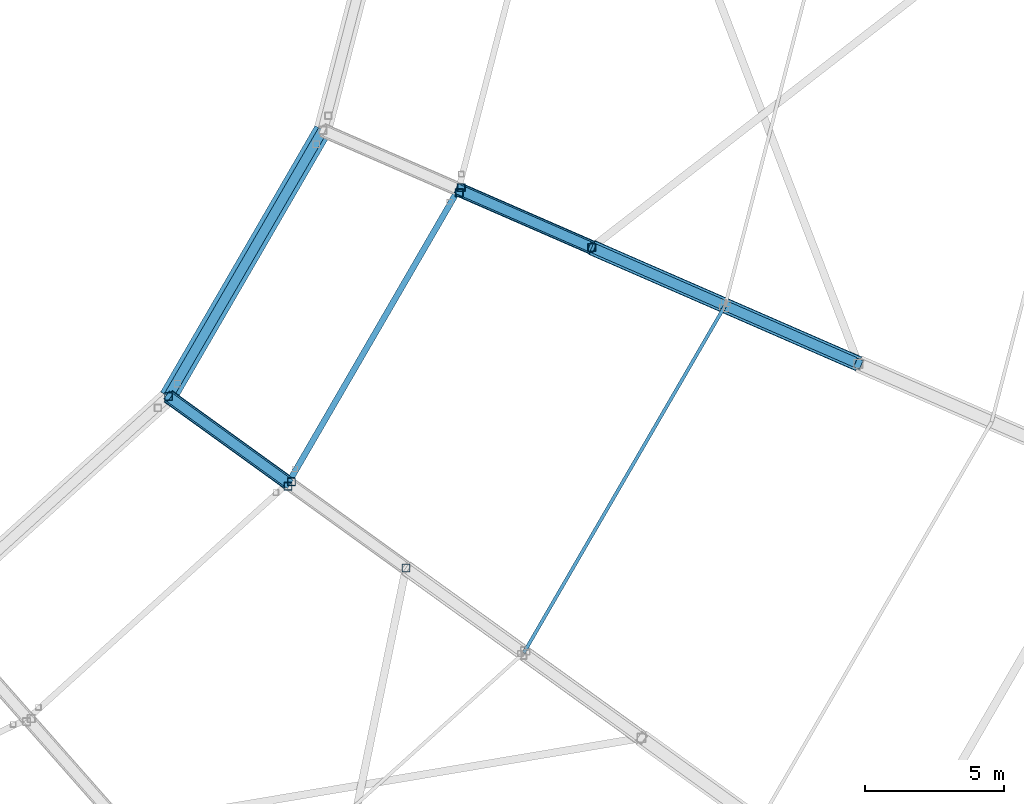
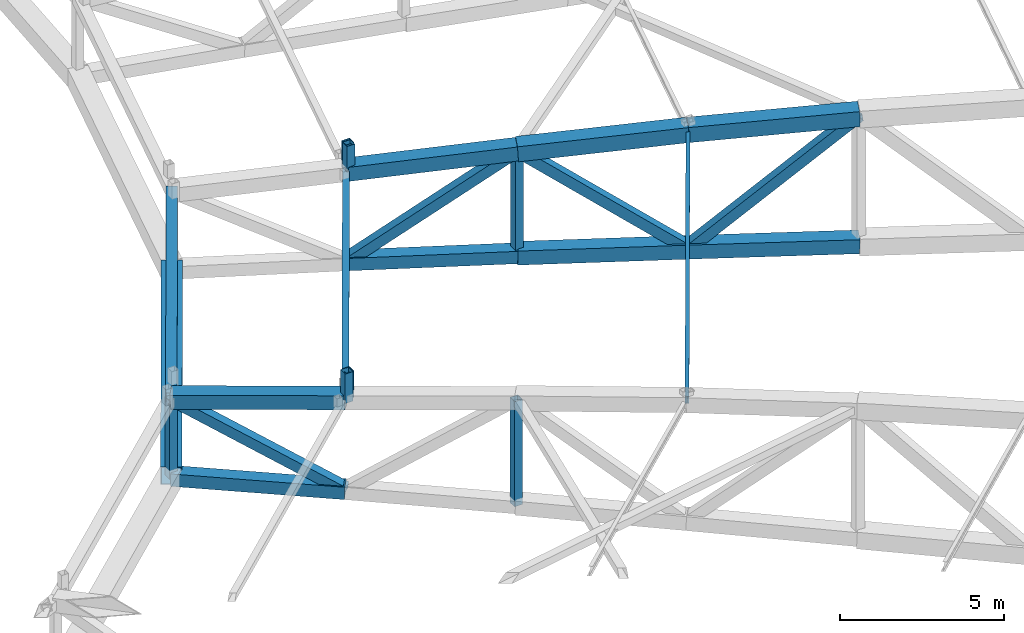
# One storey, part 52 of 162: 23 members.
"""IFC4 building model written with IfcOpenShell, lengths in metres."""

import ifcopenshell
import ifcopenshell.guid

model = None  # the IFC model being written
_history = None  # IfcOwnerHistory: only IFC2X3 demands one
_inside = {}  # id of a spatial element -> (the spatial element, [elements in it])
_under = {}  # id of a project, library or spatial element -> (it, [spatial elements below it])
_declared = {}  # id of a project -> (the project, [libraries it declares])
_typed = {}  # id of a type object -> (the type object, [elements of that type])
_made_of = {}  # id of a material, layer set ... -> (it, [elements and type objects made of it])


def new_model(schema):
    """Start an empty IFC model of exactly this schema.

    Asked for "IFC4X3", IfcOpenShell would pick the latest addendum, in which some entities
    have other attributes; the version numbers below select the first issue.
    IFC2X3 requires an IfcOwnerHistory on every rooted entity: one is made here for all.
    """
    global model, _history
    if schema == "IFC4X3":
        model = ifcopenshell.file(schema_version=(4, 3, 0, 0))
    else:
        model = ifcopenshell.file(schema=schema)
    _inside.clear()
    _under.clear()
    _declared.clear()
    _typed.clear()
    _made_of.clear()
    _history = None
    if model.schema == "IFC2X3":
        org = make("IfcOrganization", Name="unknown")
        user = make(
            "IfcPersonAndOrganization",
            ThePerson=make("IfcPerson", FamilyName="unknown"),
            TheOrganization=org,
        )
        app = make(
            "IfcApplication",
            ApplicationDeveloper=org,
            Version="unknown",
            ApplicationFullName="unknown",
            ApplicationIdentifier="unknown",
        )
        _history = make(
            "IfcOwnerHistory",
            OwningUser=user,
            OwningApplication=app,
            ChangeAction="ADDED",
            CreationDate=0,
        )
    return model


def make(cls, **values):
    """One entity of the class cls with the attributes given. An attribute that is None is left unset."""
    return model.create_entity(
        cls, **{name: value for name, value in values.items() if value is not None}
    )


def rooted(cls, **values):
    """An entity with a GlobalId (a new one), such as an element, a storey or a relation."""
    return make(cls, GlobalId=ifcopenshell.guid.new(), OwnerHistory=_history, **values)


def si_unit(unit_type, name, prefix=None):
    """IfcSIUnit, for example si_unit("LENGTHUNIT", "METRE", prefix="MILLI")."""
    return make("IfcSIUnit", UnitType=unit_type, Prefix=prefix, Name=name)


def assignment(units):
    """IfcUnitAssignment: the units of a project."""
    return None if units is None else make("IfcUnitAssignment", Units=units)


def point(xyz):
    """IfcCartesianPoint."""
    return None if xyz is None else make("IfcCartesianPoint", Coordinates=xyz)


def direction(xyz):
    """IfcDirection."""
    return None if xyz is None else make("IfcDirection", DirectionRatios=xyz)


def frame(location, z_axis=None, x_axis=None):
    """IfcAxis2Placement3D, a coordinate frame: its origin and axes. An axis left out is left unset."""
    return make(
        "IfcAxis2Placement3D",
        Location=point(location),
        Axis=direction(z_axis),
        RefDirection=direction(x_axis),
    )


def frame_2d(location, x_axis=None):
    """IfcAxis2Placement2D, a coordinate frame in the plane: its origin and x axis."""
    return make(
        "IfcAxis2Placement2D", Location=point(location), RefDirection=direction(x_axis)
    )


def origin():
    """The frame at (0, 0, 0) with its axes left unset."""
    return frame((0.0, 0.0, 0.0))


def origin_2d():
    """The frame at (0, 0) in the plane with its x axis left unset."""
    return frame_2d((0.0, 0.0))


def place(relative_to, where):
    """IfcLocalPlacement: puts the frame where relative to a parent placement (None: the world)."""
    return make(
        "IfcLocalPlacement", PlacementRelTo=relative_to, RelativePlacement=where
    )


def context(
    kind, dimensions, precision=None, world=None, true_north=None, identifier=None
):
    """IfcGeometricRepresentationContext, for example the 3D "Model" context."""
    return make(
        "IfcGeometricRepresentationContext",
        ContextIdentifier=identifier,
        ContextType=kind,
        CoordinateSpaceDimension=dimensions,
        Precision=precision,
        WorldCoordinateSystem=world,
        TrueNorth=true_north,
    )


def subcontext(parent, identifier, kind, view, scale=None):
    """IfcGeometricRepresentationSubContext, for example "Body" below "Model"."""
    return make(
        "IfcGeometricRepresentationSubContext",
        ContextIdentifier=identifier,
        ContextType=kind,
        ParentContext=parent,
        TargetScale=scale,
        TargetView=view,
    )


def project(units=None, contexts=None):
    """IfcProject with its units and contexts."""
    return rooted(
        "IfcProject",
        Name="project",
        RepresentationContexts=contexts,
        UnitsInContext=assignment(units),
    )


def spatial(cls, under=None, at=None, **own):
    """A site, building, storey or space (cls), placed at a placement, below another one or the project."""
    s = rooted(cls, ObjectPlacement=at, **own)
    if under is not None:
        _under.setdefault(under.id(), (under, []))[1].append(s)
    return s


def profile(cls, at=None, kind="AREA", **sizes):
    """A parametric profile (cls). Its sizes go by their IFC names, for example OverallWidth=200.0."""
    return make(cls, ProfileType=kind, Position=at, **sizes)


def hollow_rectangle(**sizes):
    """IfcRectangleHollowProfileDef."""
    return profile("IfcRectangleHollowProfileDef", **sizes)


def i_section(**sizes):
    """IfcIShapeProfileDef."""
    return profile("IfcIShapeProfileDef", **sizes)


def extrude(swept, where, along, depth):
    """IfcExtrudedAreaSolid: the profile swept, set in the frame where, extruded along a direction by depth."""
    return make(
        "IfcExtrudedAreaSolid",
        SweptArea=swept,
        Position=where,
        ExtrudedDirection=direction(along),
        Depth=depth,
    )


def shape(context_of_items, identifier, shape_type, items):
    """IfcShapeRepresentation: the items that make up one representation, for example the "Body"."""
    return make(
        "IfcShapeRepresentation",
        ContextOfItems=context_of_items,
        RepresentationIdentifier=identifier,
        RepresentationType=shape_type,
        Items=items,
    )


def material(Name=None, Category=None):
    """IfcMaterial."""
    return make("IfcMaterial", Name=Name, Category=Category)


def material_profile(
    of_material, cross_section, Name=None, Category=None, Priority=None
):
    """IfcMaterialProfile: a cross section and its material."""
    return make(
        "IfcMaterialProfile",
        Name=Name,
        Material=of_material,
        Profile=cross_section,
        Priority=Priority,
        Category=Category,
    )


def profile_set(profiles, Name=None, composite=None):
    """IfcMaterialProfileSet."""
    return make(
        "IfcMaterialProfileSet",
        Name=Name,
        MaterialProfiles=profiles,
        CompositeProfile=composite,
    )


def made_of(thing, what):
    """Note that an element or type object is made of a material, layer set ...; save() writes the relation."""
    if what is not None:
        _made_of.setdefault(what.id(), (what, []))[1].append(thing)
    return thing


def type_object(cls, material=None, **own):
    """A type object (cls), such as IfcWallType, which elements share."""
    return made_of(rooted(cls, **own), material)


def element(
    cls,
    number,
    at=None,
    inside=None,
    cuts=None,
    type_object=None,
    material=None,
    context=None,
    identifier="Body",
    shape_type=None,
    held_by="IfcProductDefinitionShape",
    body=None,
    shapes=None,
    **own,
):
    """One element of the class cls, such as IfcWall. Its Tag is "e" and its number.

    at: its placement. inside: the storey or other place that contains it. cuts: it is an
    opening in that element (IfcRelVoidsElement). A single representation is given by context,
    identifier, shape_type and body (its items); several are given by shapes. held_by: the class
    of the entity that holds the representations. save() writes the other relations.
    """
    e = rooted(cls, Tag="e%d" % number, ObjectPlacement=at, **own)
    if body is not None:
        shapes = [shape(context, identifier, shape_type, body)]
    if shapes is not None:
        e.Representation = make(held_by, Representations=shapes)
    if inside is not None:
        _inside.setdefault(inside.id(), (inside, []))[1].append(e)
    if cuts is not None:
        rooted(
            "IfcRelVoidsElement", RelatingBuildingElement=cuts, RelatedOpeningElement=e
        )
    if type_object is not None:
        _typed.setdefault(type_object.id(), (type_object, []))[1].append(e)
    return made_of(e, material)


def aggregate(whole, parts):
    """IfcRelAggregates: a whole, such as a stair, and the parts it consists of."""
    return rooted("IfcRelAggregates", RelatingObject=whole, RelatedObjects=parts)


def save(model, path):
    """Write the relations noted so far, then the file.

    IfcRelAggregates (storeys below a building ...), IfcRelContainedInSpatialStructure (elements
    in a storey), IfcRelDefinesByType, IfcRelAssociatesMaterial and IfcRelDeclares: one each for
    every whole, place, type object, material and project.
    """
    for whole, parts in _under.values():
        aggregate(whole, parts)
    for where, things in _inside.values():
        rooted(
            "IfcRelContainedInSpatialStructure",
            RelatedElements=things,
            RelatingStructure=where,
        )
    for kind, things in _typed.values():
        rooted("IfcRelDefinesByType", RelatedObjects=things, RelatingType=kind)
    for what, things in _made_of.values():
        rooted("IfcRelAssociatesMaterial", RelatedObjects=things, RelatingMaterial=what)
    for by, libraries in _declared.values():
        rooted("IfcRelDeclares", RelatingContext=by, RelatedDefinitions=libraries)
    model.write(path)


model = new_model("IFC4")

# Units and contexts
model_context = context("Model", 3, precision=1e-05, world=origin(), true_north=direction((0.0, 1.0)))
body_context = subcontext(model_context, "Body", "Model", "MODEL_VIEW")
ifc_project = project(units=[si_unit("LENGTHUNIT", "METRE"), si_unit("AREAUNIT", "SQUARE_METRE"), si_unit("VOLUMEUNIT", "CUBIC_METRE"), si_unit("PLANEANGLEUNIT", "RADIAN"), si_unit("MASSUNIT", "GRAM", prefix="KILO")], contexts=[model_context])

# Site, building, storey
site_placement = place(None, origin())
site = spatial("IfcSite", under=ifc_project, at=site_placement, CompositionType="ELEMENT")
building_placement = place(site_placement, origin())
building = spatial("IfcBuilding", under=site, at=building_placement, Name="Kazemori Nagisa Stadium", CompositionType="ELEMENT")
storey_placement = place(building_placement, frame((0.0, 0.0, 36.719970703125)))
storey = spatial("IfcBuildingStorey", under=building, at=storey_placement, Name="RF", CompositionType="ELEMENT", Elevation=36.719970703125)

# Members
ifc_material_1 = material(Name="Steel STKR490", Category="steel")
ifc_material_profile_1 = material_profile(ifc_material_1, hollow_rectangle(XDim=0.280029296875, YDim=0.280029296875, WallThickness=0.010009765625, at=origin_2d()), Name="SHS-280x280x10")
ifc_profile_set_1 = profile_set([ifc_material_profile_1], Name="Steel STKR490")
member_type_1 = type_object("IfcMemberType", Name="Member_ST-SHS280", PredefinedType="STUD", material=ifc_profile_set_1)
member_1_placement = place(storey_placement, frame((169.298583984375, 68.44677734375, 4.8720703125), z_axis=(0.0, 0.0, 1.0), x_axis=(1.0, 0.0, 0.0)))
element("IfcMember", 1, at=member_1_placement, inside=storey, type_object=member_type_1, Name="Canopy bearing stool B25-inner-3", PredefinedType="STUD", context=body_context, shape_type="SweptSolid", body=[
    extrude(hollow_rectangle(XDim=0.280029296875, YDim=0.280029296875, WallThickness=0.010009765625, at=origin_2d()), origin(), (0.0, 0.0, 1.0), 1.095947265625),
])
member_2_placement = place(storey_placement, frame((175.4638671875, 79.019775390625, 4.7939453125), z_axis=(0.0, 0.0, 1.0), x_axis=(1.0, 0.0, 0.0)))
element("IfcMember", 2, at=member_2_placement, inside=storey, type_object=member_type_1, Name="Canopy bearing stool B26-inner-3", PredefinedType="STUD", context=body_context, shape_type="SweptSolid", body=[
    extrude(hollow_rectangle(XDim=0.280029296875, YDim=0.280029296875, WallThickness=0.010009765625, at=origin_2d()), origin(), (0.0, 0.0, 1.0), 1.05908203125),
])
member_3_placement = place(storey_placement, frame((169.42529296875, 68.6064453125, 4.8720703125), z_axis=(0.0, 0.0, 1.0), x_axis=(1.0, 0.0, 0.0)))
element("IfcMember", 3, at=member_3_placement, inside=storey, type_object=member_type_1, Name="Canopy bearing stool B26-inner-4", PredefinedType="STUD", context=body_context, shape_type="SweptSolid", body=[
    extrude(hollow_rectangle(XDim=0.280029296875, YDim=0.280029296875, WallThickness=0.010009765625, at=origin_2d()), origin(), (0.0, 0.0, 1.0), 0.98095703125),
])
member_4_placement = place(storey_placement, frame((175.54296875, 79.202880859375, 4.7939453125), z_axis=(0.0, 0.0, 1.0), x_axis=(1.0, 0.0, 0.0)))
element("IfcMember", 4, at=member_4_placement, inside=storey, type_object=member_type_1, Name="Canopy bearing stool B27-inner-4", PredefinedType="STUD", context=body_context, shape_type="SweptSolid", body=[
    extrude(hollow_rectangle(XDim=0.280029296875, YDim=0.280029296875, WallThickness=0.010009765625, at=origin_2d()), origin(), (0.0, 0.0, 1.0), 0.97314453125),
])
ifc_material_profile_2 = material_profile(ifc_material_1, hollow_rectangle(XDim=0.360107421875, YDim=0.360107421875, WallThickness=0.013916015625, at=origin_2d()), Name="SHS-360x360x14")
ifc_profile_set_2 = profile_set([ifc_material_profile_2], Name="Steel STKR490")
member_type_2 = type_object("IfcMemberType", Name="Member_TB-SHS360", PredefinedType="BRACE", material=ifc_profile_set_2)
member_5_placement = place(storey_placement, frame((169.312255859375, 68.566162109375, 1.484130859375), z_axis=(-0.704860298048, 0.508864251817, 0.494195440548), x_axis=(-0.585338201733, -0.8107892387, 0.0)))
element("IfcMember", 5, at=member_5_placement, inside=storey, type_object=member_type_2, Name="Roof space truss diagonal RT-26-9", PredefinedType="BRACE", context=body_context, shape_type="SweptSolid", body=[
    extrude(hollow_rectangle(XDim=0.360107421875, YDim=0.360107421875, WallThickness=0.013916015625, at=origin_2d()), origin(), (0.0, 0.0, 1.0), 6.124755859375),
])
member_6_placement = place(storey_placement, frame((189.841552734375, 72.8603515625, 5.634033203125), z_axis=(-0.692328982626, 0.301828672945, -0.655423551609), x_axis=(-0.399634648115, -0.916674504951, 0.0)))
element("IfcMember", 6, at=member_6_placement, inside=storey, type_object=member_type_2, Name="Roof space truss diagonal RT-27-6", PredefinedType="BRACE", context=body_context, shape_type="SweptSolid", body=[
    extrude(hollow_rectangle(XDim=0.360107421875, YDim=0.360107421875, WallThickness=0.013916015625, at=origin_2d()), origin(), (0.0, 0.0, 1.0), 6.932861328125),
])
member_7_placement = place(storey_placement, frame((185.041748046875, 74.952880859375, 1.090087890625), z_axis=(-0.724495982252, 0.315852241296, 0.612652375633), x_axis=(-0.399634648115, -0.916674504951, 0.0)))
element("IfcMember", 7, at=member_7_placement, inside=storey, type_object=member_type_2, Name="Roof space truss diagonal RT-27-7", PredefinedType="BRACE", context=body_context, shape_type="SweptSolid", body=[
    extrude(hollow_rectangle(XDim=0.360107421875, YDim=0.360107421875, WallThickness=0.013916015625, at=origin_2d()), origin(), (0.0, 0.0, 1.0), 6.625),
])
member_8_placement = place(storey_placement, frame((180.241943359375, 77.04541015625, 5.14892578125), z_axis=(-0.747161057138, 0.325695333656, -0.579372854327), x_axis=(-0.399595467244, -0.916691585299, 0.0)))
element("IfcMember", 8, at=member_8_placement, inside=storey, type_object=member_type_2, Name="Roof space truss diagonal RT-27-8", PredefinedType="BRACE", context=body_context, shape_type="SweptSolid", body=[
    extrude(hollow_rectangle(XDim=0.360107421875, YDim=0.360107421875, WallThickness=0.013916015625, at=origin_2d()), origin(), (0.0, 0.0, 1.0), 6.424072265625),
])
ifc_material_profile_3 = material_profile(ifc_material_1, hollow_rectangle(XDim=0.35009765625, YDim=0.35009765625, WallThickness=0.01611328125, at=origin_2d()), Name="SHS-350x350x16")
ifc_profile_set_3 = profile_set([ifc_material_profile_3], Name="Steel STKR490")
member_type_3 = type_object("IfcMemberType", Name="Member_TC-SHS350", PredefinedType="CHORD", material=ifc_profile_set_3)
member_9_placement = place(storey_placement, frame((164.9951171875, 71.682861328125, 4.510986328125), z_axis=(0.501597033298, 0.865076975994, -0.006499368596), x_axis=(-0.865095247773, 0.501607627813, 0.0)))
element("IfcMember", 9, at=member_9_placement, inside=storey, type_object=member_type_3, Name="Roof tension ring beam upper TR-26", PredefinedType="CHORD", context=body_context, shape_type="SweptSolid", body=[
    extrude(hollow_rectangle(XDim=0.35009765625, YDim=0.35009765625, WallThickness=0.01611328125, at=origin_2d()), origin(), (0.0, 0.0, 1.0), 11.081298828125),
])
ifc_material_profile_4 = material_profile(ifc_material_1, hollow_rectangle(XDim=0.4599609375, YDim=0.4599609375, WallThickness=0.01611328125, at=origin_2d()), Name="SHS-460x460x16")
ifc_profile_set_4 = profile_set([ifc_material_profile_4], Name="Steel STKR490")
member_type_4 = type_object("IfcMemberType", Name="Member_TC-SHS460", PredefinedType="CHORD", material=ifc_profile_set_4)
member_10_placement = place(storey_placement, frame((169.312255859375, 68.566162109375, 1.484130859375), z_axis=(-0.810597011523, 0.585199425952, 0.021774222727), x_axis=(-0.585338201733, -0.8107892387, 0.0)))
element("IfcMember", 10, at=member_10_placement, inside=storey, type_object=member_type_4, Name="Roof space truss bottom chord RT-26-9", PredefinedType="CHORD", context=body_context, shape_type="SweptSolid", body=[
    extrude(hollow_rectangle(XDim=0.4599609375, YDim=0.4599609375, WallThickness=0.01611328125, at=origin_2d()), origin(), (0.0, 0.0, 1.0), 5.325927734375),
])
member_11_placement = place(storey_placement, frame((180.241943359375, 77.04541015625, 1.280029296875), z_axis=(-0.916330666793, 0.399438139085, 0.028058548393), x_axis=(-0.399595467244, -0.916691585299, 0.0)))
element("IfcMember", 11, at=member_11_placement, inside=storey, type_object=member_type_4, Name="Roof space truss bottom chord RT-27-8", PredefinedType="CHORD", context=body_context, shape_type="SweptSolid", body=[
    extrude(hollow_rectangle(XDim=0.4599609375, YDim=0.4599609375, WallThickness=0.01611328125, at=origin_2d()), origin(), (0.0, 0.0, 1.0), 5.238037109375),
])
ifc_material_profile_5 = material_profile(ifc_material_1, hollow_rectangle(XDim=0.52001953125, YDim=0.52001953125, WallThickness=0.01904296875, at=origin_2d()), Name="SHS-520x520x19")
ifc_profile_set_5 = profile_set([ifc_material_profile_5], Name="Steel STKR490")
member_type_5 = type_object("IfcMemberType", Name="Member_TC-SHS520", PredefinedType="CHORD", material=ifc_profile_set_5)
member_12_placement = place(storey_placement, frame((169.312255859375, 68.566162109375, 4.8720703125), z_axis=(-0.808931333188, 0.583996912259, -0.067658736741), x_axis=(-0.585338201733, -0.8107892387, 0.0)))
element("IfcMember", 12, at=member_12_placement, inside=storey, type_object=member_type_5, Name="Roof space truss top chord RT-26-9", PredefinedType="CHORD", context=body_context, shape_type="SweptSolid", body=[
    extrude(hollow_rectangle(XDim=0.52001953125, YDim=0.52001953125, WallThickness=0.01904296875, at=origin_2d()), origin(), (0.0, 0.0, 1.0), 5.3369140625),
])
member_13_placement = place(storey_placement, frame((189.841552734375, 72.8603515625, 0.880126953125), z_axis=(-0.915938430073, 0.399313747922, 0.040066482699), x_axis=(-0.399634648115, -0.916674504951, 0.0)))
element("IfcMember", 13, at=member_13_placement, inside=storey, type_object=member_type_5, Name="Roof space truss bottom chord RT-27-6", PredefinedType="CHORD", context=body_context, shape_type="SweptSolid", body=[
    extrude(hollow_rectangle(XDim=0.52001953125, YDim=0.52001953125, WallThickness=0.01904296875, at=origin_2d()), origin(), (0.0, 0.0, 1.0), 5.240234375),
])
member_14_placement = place(storey_placement, frame((185.041748046875, 74.952880859375, 1.090087890625), z_axis=(-0.916071974123, 0.399371967966, 0.036251474866), x_axis=(-0.399634648115, -0.916674504951, 0.0)))
element("IfcMember", 14, at=member_14_placement, inside=storey, type_object=member_type_5, Name="Roof space truss bottom chord RT-27-7", PredefinedType="CHORD", context=body_context, shape_type="SweptSolid", body=[
    extrude(hollow_rectangle(XDim=0.52001953125, YDim=0.52001953125, WallThickness=0.01904296875, at=origin_2d()), origin(), (0.0, 0.0, 1.0), 5.239501953125),
])
member_15_placement = place(storey_placement, frame((180.241943359375, 77.04541015625, 5.14892578125), z_axis=(-0.91459212552, 0.398680290728, -0.067640740107), x_axis=(-0.399595467244, -0.916691585299, 0.0)))
element("IfcMember", 15, at=member_15_placement, inside=storey, type_object=member_type_5, Name="Roof space truss top chord RT-27-8", PredefinedType="CHORD", context=body_context, shape_type="SweptSolid", body=[
    extrude(hollow_rectangle(XDim=0.52001953125, YDim=0.52001953125, WallThickness=0.01904296875, at=origin_2d()), origin(), (0.0, 0.0, 1.0), 5.248046875),
])
ifc_material_profile_6 = material_profile(ifc_material_1, hollow_rectangle(XDim=0.56005859375, YDim=0.56005859375, WallThickness=0.02001953125, at=origin_2d()), Name="SHS-560x560x20")
ifc_profile_set_6 = profile_set([ifc_material_profile_6], Name="Steel STKR490")
member_type_6 = type_object("IfcMemberType", Name="Member_TC-SHS560", PredefinedType="CHORD", material=ifc_profile_set_6)
member_16_placement = place(storey_placement, frame((189.841552734375, 72.8603515625, 5.634033203125), z_axis=(-0.916121959291, 0.399393759567, -0.034715710055), x_axis=(-0.399634648115, -0.916674504951, 0.0)))
element("IfcMember", 16, at=member_16_placement, inside=storey, type_object=member_type_6, Name="Roof space truss top chord RT-27-6", PredefinedType="CHORD", context=body_context, shape_type="SweptSolid", body=[
    extrude(hollow_rectangle(XDim=0.56005859375, YDim=0.56005859375, WallThickness=0.02001953125, at=origin_2d()), origin(), (0.0, 0.0, 1.0), 5.2392578125),
])
member_17_placement = place(storey_placement, frame((185.041748046875, 74.952880859375, 5.4521484375), z_axis=(-0.915141297302, 0.398966228849, -0.057813097215), x_axis=(-0.399634648115, -0.916674504951, 0.0)))
element("IfcMember", 17, at=member_17_placement, inside=storey, type_object=member_type_6, Name="Roof space truss top chord RT-27-7", PredefinedType="CHORD", context=body_context, shape_type="SweptSolid", body=[
    extrude(hollow_rectangle(XDim=0.56005859375, YDim=0.56005859375, WallThickness=0.02001953125, at=origin_2d()), origin(), (0.0, 0.0, 1.0), 5.244873046875),
])
ifc_material_profile_7 = material_profile(ifc_material_1, hollow_rectangle(XDim=0.64990234375, YDim=0.64990234375, WallThickness=0.02490234375, at=origin_2d()), Name="SHS-650x650x25")
ifc_profile_set_7 = profile_set([ifc_material_profile_7], Name="Steel STKR490")
member_type_7 = type_object("IfcMemberType", Name="Member_TC-SHS650", PredefinedType="CHORD", material=ifc_profile_set_7)
member_18_placement = place(storey_placement, frame((164.9951171875, 71.682861328125, 1.60009765625), z_axis=(0.501598686984, 0.865079828016, -0.005970626089), x_axis=(-0.865095247773, 0.501607627813, 0.0)))
element("IfcMember", 18, at=member_18_placement, inside=storey, type_object=member_type_7, Name="Roof tension ring beam lower TR-26", PredefinedType="CHORD", context=body_context, shape_type="SweptSolid", body=[
    extrude(hollow_rectangle(XDim=0.64990234375, YDim=0.64990234375, WallThickness=0.02490234375, at=origin_2d()), origin(), (0.0, 0.0, 1.0), 11.081298828125),
])
ifc_material_2 = material(Name="Steel SN490B", Category="steel")
ifc_material_profile_8 = material_profile(ifc_material_2, i_section(OverallWidth=0.125, OverallDepth=0.25, WebThickness=0.006103515625, FlangeThickness=0.009033203125, FilletRadius=0.008056640625, at=origin_2d()), Name="H-250x125x6x9")
ifc_profile_set_8 = profile_set([ifc_material_profile_8], Name="Steel SN490B")
member_type_8 = type_object("IfcMemberType", Name="Member_TP-H250", PredefinedType="PURLIN", material=ifc_profile_set_8)
member_19_placement = place(storey_placement, frame((177.789794921875, 62.446044921875, 5.5380859375), z_axis=(0.501605101619, 0.865076290928, -0.005944148794), x_axis=(-0.865091574162, 0.501613963436, 0.0)))
element("IfcMember", 19, at=member_19_placement, inside=storey, type_object=member_type_8, Name="Roof purlin TP-H250 B26-P6", PredefinedType="PURLIN", context=body_context, shape_type="SweptSolid", body=[
    extrude(i_section(OverallWidth=0.125, OverallDepth=0.25, WebThickness=0.006103515625, FlangeThickness=0.009033203125, FilletRadius=0.008056640625, at=origin_2d()), origin(), (0.0, 0.0, 1.0), 14.45751953125),
])
ifc_material_profile_9 = material_profile(ifc_material_1, hollow_rectangle(XDim=0.219970703125, YDim=0.219970703125, WallThickness=0.009033203125, at=origin_2d()), Name="SHS-220x220x9")
ifc_profile_set_9 = profile_set([ifc_material_profile_9], Name="Steel STKR490")
member_type_9 = type_object("IfcMemberType", Name="Member_TP-SHS220", PredefinedType="PURLIN", material=ifc_profile_set_9)
member_20_placement = place(storey_placement, frame((169.312255859375, 68.566162109375, 4.8720703125), z_axis=(0.501609468203, 0.865070558493, -0.006392983504), x_axis=(-0.865088236855, 0.501619718966, 0.0)))
element("IfcMember", 20, at=member_20_placement, inside=storey, type_object=member_type_9, Name="Roof purlin TP-SHS220 B26-P8", PredefinedType="PURLIN", context=body_context, shape_type="SweptSolid", body=[
    extrude(hollow_rectangle(XDim=0.219970703125, YDim=0.219970703125, WallThickness=0.009033203125, at=origin_2d()), origin(), (0.0, 0.0, 1.0), 12.220458984375),
])
ifc_material_profile_10 = material_profile(ifc_material_1, hollow_rectangle(XDim=0.280029296875, YDim=0.280029296875, WallThickness=0.010009765625, at=origin_2d()), Name="SHS-280x280x10")
ifc_profile_set_10 = profile_set([ifc_material_profile_10], Name="Steel STKR490")
member_type_10 = type_object("IfcMemberType", Name="Member_TS-SHS280", PredefinedType="STRUT", material=ifc_profile_set_10)
member_21_placement = place(storey_placement, frame((173.551025390625, 65.506103515625, 1.3271484375), z_axis=(0.0, 0.0, 1.0), x_axis=(1.0, 0.0, 0.0)))
element("IfcMember", 21, at=member_21_placement, inside=storey, type_object=member_type_10, Name="Roof space truss strut RT-26-8", PredefinedType="STRUT", context=body_context, shape_type="SweptSolid", body=[
    extrude(hollow_rectangle(XDim=0.280029296875, YDim=0.280029296875, WallThickness=0.010009765625, at=origin_2d()), origin(), (0.0, 0.0, 1.0), 3.90576171875),
])
member_22_placement = place(storey_placement, frame((164.9951171875, 71.682861328125, 1.60009765625), z_axis=(0.0, 0.0, 1.0), x_axis=(1.0, 0.0, 0.0)))
element("IfcMember", 22, at=member_22_placement, inside=storey, type_object=member_type_10, Name="Roof space truss strut RT-26-10", PredefinedType="STRUT", context=body_context, shape_type="SweptSolid", body=[
    extrude(hollow_rectangle(XDim=0.280029296875, YDim=0.280029296875, WallThickness=0.010009765625, at=origin_2d()), origin(), (0.0, 0.0, 1.0), 2.910888671875),
])
member_23_placement = place(storey_placement, frame((180.241943359375, 77.04541015625, 1.280029296875), z_axis=(0.0, 0.0, 1.0), x_axis=(1.0, 0.0, 0.0)))
element("IfcMember", 23, at=member_23_placement, inside=storey, type_object=member_type_10, Name="Roof space truss strut RT-27-8", PredefinedType="STRUT", context=body_context, shape_type="SweptSolid", body=[
    extrude(hollow_rectangle(XDim=0.280029296875, YDim=0.280029296875, WallThickness=0.010009765625, at=origin_2d()), origin(), (0.0, 0.0, 1.0), 3.868896484375),
])

save(model, "model.ifc")
